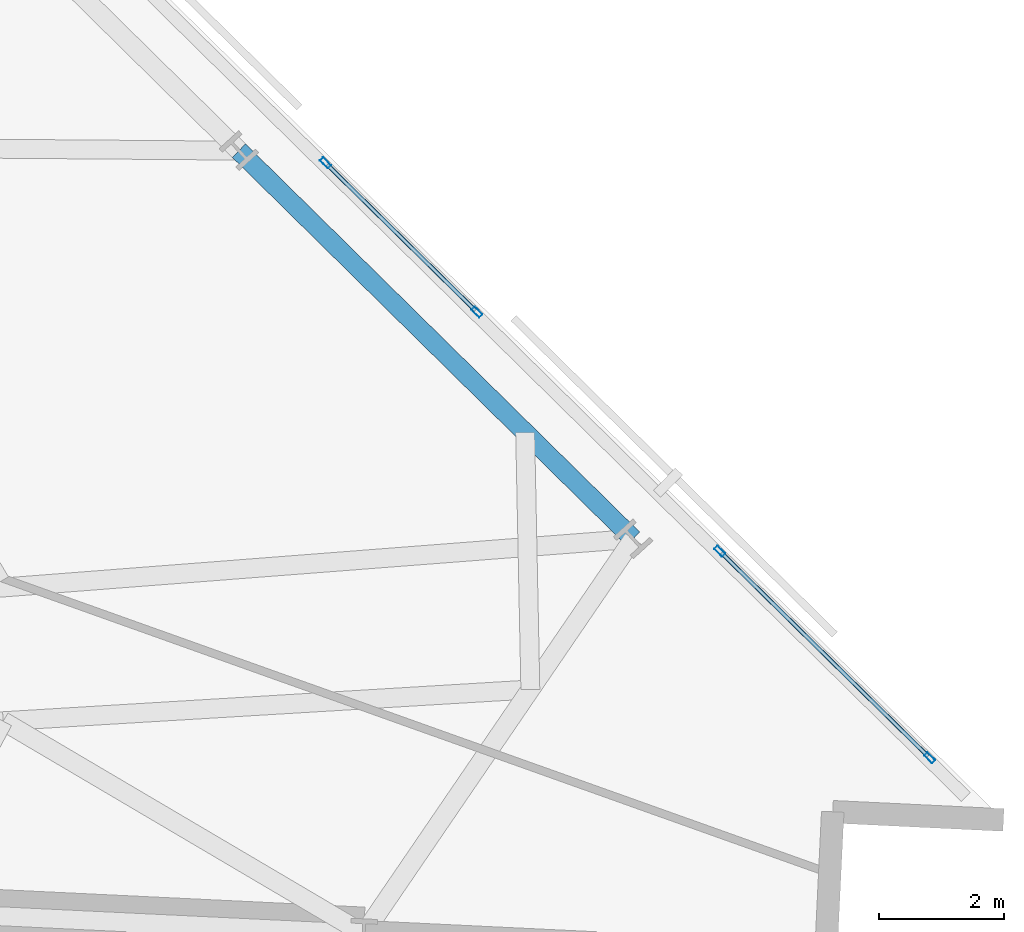
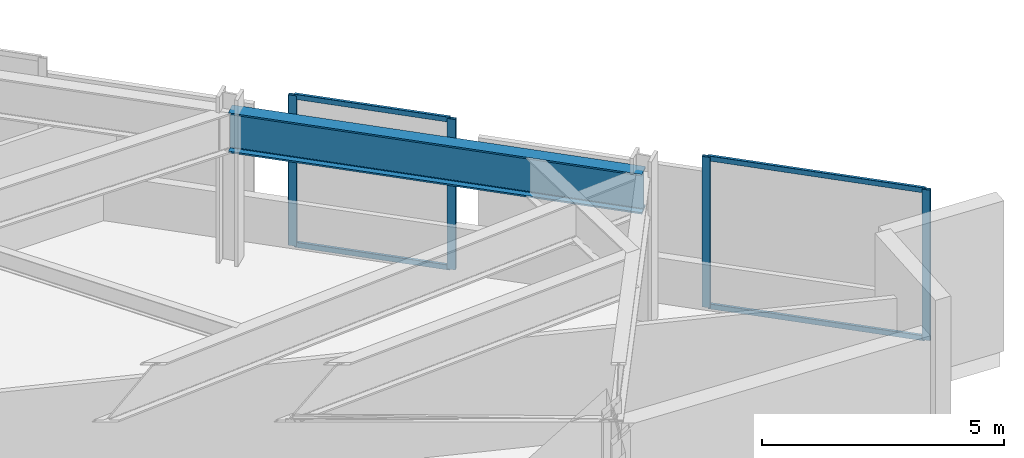
# One storey, part 4 of 18: 8 members, 1 beam, 2 elements without a shape of their own.
"""IFC4 building model written with IfcOpenShell, lengths in metres."""

import ifcopenshell
import ifcopenshell.guid

model = None  # the IFC model being written
_history = None  # IfcOwnerHistory: only IFC2X3 demands one
_inside = {}  # id of a spatial element -> (the spatial element, [elements in it])
_under = {}  # id of a project, library or spatial element -> (it, [spatial elements below it])
_declared = {}  # id of a project -> (the project, [libraries it declares])
_typed = {}  # id of a type object -> (the type object, [elements of that type])
_made_of = {}  # id of a material, layer set ... -> (it, [elements and type objects made of it])


def new_model(schema):
    """Start an empty IFC model of exactly this schema.

    Asked for "IFC4X3", IfcOpenShell would pick the latest addendum, in which some entities
    have other attributes; the version numbers below select the first issue.
    IFC2X3 requires an IfcOwnerHistory on every rooted entity: one is made here for all.
    """
    global model, _history
    if schema == "IFC4X3":
        model = ifcopenshell.file(schema_version=(4, 3, 0, 0))
    else:
        model = ifcopenshell.file(schema=schema)
    _inside.clear()
    _under.clear()
    _declared.clear()
    _typed.clear()
    _made_of.clear()
    _history = None
    if model.schema == "IFC2X3":
        org = make("IfcOrganization", Name="unknown")
        user = make(
            "IfcPersonAndOrganization",
            ThePerson=make("IfcPerson", FamilyName="unknown"),
            TheOrganization=org,
        )
        app = make(
            "IfcApplication",
            ApplicationDeveloper=org,
            Version="unknown",
            ApplicationFullName="unknown",
            ApplicationIdentifier="unknown",
        )
        _history = make(
            "IfcOwnerHistory",
            OwningUser=user,
            OwningApplication=app,
            ChangeAction="ADDED",
            CreationDate=0,
        )
    return model


def make(cls, **values):
    """One entity of the class cls with the attributes given. An attribute that is None is left unset."""
    return model.create_entity(
        cls, **{name: value for name, value in values.items() if value is not None}
    )


def rooted(cls, **values):
    """An entity with a GlobalId (a new one), such as an element, a storey or a relation."""
    return make(cls, GlobalId=ifcopenshell.guid.new(), OwnerHistory=_history, **values)


def si_unit(unit_type, name, prefix=None):
    """IfcSIUnit, for example si_unit("LENGTHUNIT", "METRE", prefix="MILLI")."""
    return make("IfcSIUnit", UnitType=unit_type, Prefix=prefix, Name=name)


def assignment(units):
    """IfcUnitAssignment: the units of a project."""
    return None if units is None else make("IfcUnitAssignment", Units=units)


def point(xyz):
    """IfcCartesianPoint."""
    return None if xyz is None else make("IfcCartesianPoint", Coordinates=xyz)


def direction(xyz):
    """IfcDirection."""
    return None if xyz is None else make("IfcDirection", DirectionRatios=xyz)


def frame(location, z_axis=None, x_axis=None):
    """IfcAxis2Placement3D, a coordinate frame: its origin and axes. An axis left out is left unset."""
    return make(
        "IfcAxis2Placement3D",
        Location=point(location),
        Axis=direction(z_axis),
        RefDirection=direction(x_axis),
    )


def frame_2d(location, x_axis=None):
    """IfcAxis2Placement2D, a coordinate frame in the plane: its origin and x axis."""
    return make(
        "IfcAxis2Placement2D", Location=point(location), RefDirection=direction(x_axis)
    )


def origin():
    """The frame at (0, 0, 0) with its axes left unset."""
    return frame((0.0, 0.0, 0.0))


def origin_2d():
    """The frame at (0, 0) in the plane with its x axis left unset."""
    return frame_2d((0.0, 0.0))


def place(relative_to, where):
    """IfcLocalPlacement: puts the frame where relative to a parent placement (None: the world)."""
    return make(
        "IfcLocalPlacement", PlacementRelTo=relative_to, RelativePlacement=where
    )


def context(
    kind, dimensions, precision=None, world=None, true_north=None, identifier=None
):
    """IfcGeometricRepresentationContext, for example the 3D "Model" context."""
    return make(
        "IfcGeometricRepresentationContext",
        ContextIdentifier=identifier,
        ContextType=kind,
        CoordinateSpaceDimension=dimensions,
        Precision=precision,
        WorldCoordinateSystem=world,
        TrueNorth=true_north,
    )


def subcontext(parent, identifier, kind, view, scale=None):
    """IfcGeometricRepresentationSubContext, for example "Body" below "Model"."""
    return make(
        "IfcGeometricRepresentationSubContext",
        ContextIdentifier=identifier,
        ContextType=kind,
        ParentContext=parent,
        TargetScale=scale,
        TargetView=view,
    )


def project(units=None, contexts=None):
    """IfcProject with its units and contexts."""
    return rooted(
        "IfcProject",
        Name="project",
        RepresentationContexts=contexts,
        UnitsInContext=assignment(units),
    )


def spatial(cls, under=None, at=None, **own):
    """A site, building, storey or space (cls), placed at a placement, below another one or the project."""
    s = rooted(cls, ObjectPlacement=at, **own)
    if under is not None:
        _under.setdefault(under.id(), (under, []))[1].append(s)
    return s


def profile(cls, at=None, kind="AREA", **sizes):
    """A parametric profile (cls). Its sizes go by their IFC names, for example OverallWidth=200.0."""
    return make(cls, ProfileType=kind, Position=at, **sizes)


def hollow_rectangle(**sizes):
    """IfcRectangleHollowProfileDef."""
    return profile("IfcRectangleHollowProfileDef", **sizes)


def i_section(**sizes):
    """IfcIShapeProfileDef."""
    return profile("IfcIShapeProfileDef", **sizes)


def extrude(swept, where, along, depth):
    """IfcExtrudedAreaSolid: the profile swept, set in the frame where, extruded along a direction by depth."""
    return make(
        "IfcExtrudedAreaSolid",
        SweptArea=swept,
        Position=where,
        ExtrudedDirection=direction(along),
        Depth=depth,
    )


def shape(context_of_items, identifier, shape_type, items):
    """IfcShapeRepresentation: the items that make up one representation, for example the "Body"."""
    return make(
        "IfcShapeRepresentation",
        ContextOfItems=context_of_items,
        RepresentationIdentifier=identifier,
        RepresentationType=shape_type,
        Items=items,
    )


def material(Name=None, Category=None):
    """IfcMaterial."""
    return make("IfcMaterial", Name=Name, Category=Category)


def material_profile(
    of_material, cross_section, Name=None, Category=None, Priority=None
):
    """IfcMaterialProfile: a cross section and its material."""
    return make(
        "IfcMaterialProfile",
        Name=Name,
        Material=of_material,
        Profile=cross_section,
        Priority=Priority,
        Category=Category,
    )


def profile_set(profiles, Name=None, composite=None):
    """IfcMaterialProfileSet."""
    return make(
        "IfcMaterialProfileSet",
        Name=Name,
        MaterialProfiles=profiles,
        CompositeProfile=composite,
    )


def made_of(thing, what):
    """Note that an element or type object is made of a material, layer set ...; save() writes the relation."""
    if what is not None:
        _made_of.setdefault(what.id(), (what, []))[1].append(thing)
    return thing


def type_object(cls, material=None, **own):
    """A type object (cls), such as IfcWallType, which elements share."""
    return made_of(rooted(cls, **own), material)


def element(
    cls,
    number,
    at=None,
    inside=None,
    cuts=None,
    type_object=None,
    material=None,
    context=None,
    identifier="Body",
    shape_type=None,
    held_by="IfcProductDefinitionShape",
    body=None,
    shapes=None,
    **own,
):
    """One element of the class cls, such as IfcWall. Its Tag is "e" and its number.

    at: its placement. inside: the storey or other place that contains it. cuts: it is an
    opening in that element (IfcRelVoidsElement). A single representation is given by context,
    identifier, shape_type and body (its items); several are given by shapes. held_by: the class
    of the entity that holds the representations. save() writes the other relations.
    """
    e = rooted(cls, Tag="e%d" % number, ObjectPlacement=at, **own)
    if body is not None:
        shapes = [shape(context, identifier, shape_type, body)]
    if shapes is not None:
        e.Representation = make(held_by, Representations=shapes)
    if inside is not None:
        _inside.setdefault(inside.id(), (inside, []))[1].append(e)
    if cuts is not None:
        rooted(
            "IfcRelVoidsElement", RelatingBuildingElement=cuts, RelatedOpeningElement=e
        )
    if type_object is not None:
        _typed.setdefault(type_object.id(), (type_object, []))[1].append(e)
    return made_of(e, material)


def aggregate(whole, parts):
    """IfcRelAggregates: a whole, such as a stair, and the parts it consists of."""
    return rooted("IfcRelAggregates", RelatingObject=whole, RelatedObjects=parts)


def save(model, path):
    """Write the relations noted so far, then the file.

    IfcRelAggregates (storeys below a building ...), IfcRelContainedInSpatialStructure (elements
    in a storey), IfcRelDefinesByType, IfcRelAssociatesMaterial and IfcRelDeclares: one each for
    every whole, place, type object, material and project.
    """
    for whole, parts in _under.values():
        aggregate(whole, parts)
    for where, things in _inside.values():
        rooted(
            "IfcRelContainedInSpatialStructure",
            RelatedElements=things,
            RelatingStructure=where,
        )
    for kind, things in _typed.values():
        rooted("IfcRelDefinesByType", RelatedObjects=things, RelatingType=kind)
    for what, things in _made_of.values():
        rooted("IfcRelAssociatesMaterial", RelatedObjects=things, RelatingMaterial=what)
    for by, libraries in _declared.values():
        rooted("IfcRelDeclares", RelatingContext=by, RelatedDefinitions=libraries)
    model.write(path)


model = new_model("IFC4")

# Units and contexts
model_context = context("Model", 3, precision=1e-05, world=origin(), true_north=direction((0.0, 1.0)))
body_context = subcontext(model_context, "Body", "Model", "MODEL_VIEW")
ifc_project = project(units=[si_unit("LENGTHUNIT", "METRE"), si_unit("AREAUNIT", "SQUARE_METRE"), si_unit("VOLUMEUNIT", "CUBIC_METRE"), si_unit("PLANEANGLEUNIT", "RADIAN"), si_unit("MASSUNIT", "GRAM", prefix="KILO")], contexts=[model_context])

# Site, building, storey
site_placement = place(None, origin())
site = spatial("IfcSite", under=ifc_project, at=site_placement, CompositionType="ELEMENT")
building_placement = place(site_placement, origin())
building = spatial("IfcBuilding", under=site, at=building_placement, Name="Narakoshi Arena Tower", CompositionType="ELEMENT")
storey_placement = place(building_placement, frame((0.0, 0.0, 59.10009765625)))
storey = spatial("IfcBuildingStorey", under=building, at=storey_placement, Name="L15", CompositionType="ELEMENT", Elevation=59.10009765625)

# Beam
ifc_material_1 = material(Name="Structural steel S460ML", Category="steel")
ifc_material_profile_1 = material_profile(ifc_material_1, i_section(OverallWidth=0.302001953125, OverallDepth=1.008056640625, WebThickness=0.02099609375, FlangeThickness=0.0400390625, FilletRadius=0.030029296875, at=origin_2d()), Name="HE1000M")
ifc_profile_set_1 = profile_set([ifc_material_profile_1], Name="Structural steel S460ML")
beam_type = type_object("IfcBeamType", Name="BM-XFER-1000", PredefinedType="BEAM", material=ifc_profile_set_1)
beam_placement = place(storey_placement, frame((114.942138671875, 36.969970703125, 3.2958984375), z_axis=(-0.712540689328, 0.70163079041, 0.0), x_axis=(-0.70163079041, -0.712540689328, 0.0)))
element("IfcBeam", 1, at=beam_placement, inside=storey, type_object=beam_type, Name="L15 Perimeter Transfer Ring Girder 05", PredefinedType="BEAM", context=body_context, shape_type="SweptSolid", body=[
    extrude(i_section(OverallWidth=0.302001953125, OverallDepth=1.008056640625, WebThickness=0.02099609375, FlangeThickness=0.0400390625, FilletRadius=0.030029296875, at=origin_2d()), origin(), (0.0, 0.0, 1.0), 8.83935546875),
])

# Curtain wall, members
ifc_material_2 = material(Name="Anodised bronze aluminium 6063-T6", Category="aluminium")
curtain_wall_type = type_object("IfcCurtainWallType", Name="CW-HYP-LOW", PredefinedType="NOTDEFINED", material=ifc_material_2)
curtain_wall_1_placement = place(storey_placement, origin())
curtain_wall_1 = element("IfcCurtainWall", 2, at=curtain_wall_1_placement, inside=storey, type_object=curtain_wall_type, Name="L15 Folded Hypotenuse Curtain Wall 1-1", PredefinedType="NOTDEFINED")
ifc_material_profile_2 = material_profile(ifc_material_2, hollow_rectangle(XDim=0.074951171875, YDim=0.179931640625, WallThickness=0.00390625, OuterFilletRadius=0.0048828125, at=origin_2d()), Name="MUL180x75x4")
ifc_profile_set_2 = profile_set([ifc_material_profile_2], Name="Anodised bronze aluminium 6063-T6")
member_type_1 = type_object("IfcMemberType", Name="MEM-MUL-180", PredefinedType="MULLION", material=ifc_profile_set_2)
member_1_placement = place(storey_placement, frame((119.677734375, 33.471923828125, 0.0), z_axis=(0.0, 0.0, 1.0), x_axis=(-0.701625822878, -0.712545580767, 0.0)))
member_1 = element("IfcMember", 3, at=member_1_placement, type_object=member_type_1, Name="CW-01 mullion 1", PredefinedType="MULLION", context=body_context, shape_type="SweptSolid", body=[
    extrude(hollow_rectangle(XDim=0.074951171875, YDim=0.179931640625, WallThickness=0.00390625, OuterFilletRadius=0.0048828125, at=origin_2d()), origin(), (0.0, 0.0, 1.0), 3.7998046875),
])
member_2_placement = place(storey_placement, frame((116.324951171875, 36.773193359375, 0.0), z_axis=(0.0, 0.0, 1.0), x_axis=(-0.701625822878, -0.712545580767, 0.0)))
member_2 = element("IfcMember", 4, at=member_2_placement, type_object=member_type_1, Name="CW-01 mullion 2", PredefinedType="MULLION", context=body_context, shape_type="SweptSolid", body=[
    extrude(hollow_rectangle(XDim=0.074951171875, YDim=0.179931640625, WallThickness=0.00390625, OuterFilletRadius=0.0048828125, at=origin_2d()), origin(), (0.0, 0.0, 1.0), 3.7998046875),
])

curtain_wall_2_placement = place(storey_placement, origin())
curtain_wall_2 = element("IfcCurtainWall", 5, at=curtain_wall_2_placement, inside=storey, type_object=curtain_wall_type, Name="L15 Folded Hypotenuse Curtain Wall 1-2", PredefinedType="NOTDEFINED")
member_3_placement = place(storey_placement, frame((112.4453125, 40.59326171875, 0.0), z_axis=(0.0, 0.0, 1.0), x_axis=(-0.701638697719, -0.712532903003, 0.0)))
member_3 = element("IfcMember", 6, at=member_3_placement, type_object=member_type_1, Name="CW-01 mullion 1", PredefinedType="MULLION", context=body_context, shape_type="SweptSolid", body=[
    extrude(hollow_rectangle(XDim=0.074951171875, YDim=0.179931640625, WallThickness=0.00390625, OuterFilletRadius=0.0048828125, at=origin_2d()), origin(), (0.0, 0.0, 1.0), 3.7998046875),
])
member_4_placement = place(storey_placement, frame((110.026611328125, 42.97509765625, 0.0), z_axis=(0.0, 0.0, 1.0), x_axis=(-0.701638697719, -0.712532903003, 0.0)))
member_4 = element("IfcMember", 7, at=member_4_placement, type_object=member_type_1, Name="CW-01 mullion 2", PredefinedType="MULLION", context=body_context, shape_type="SweptSolid", body=[
    extrude(hollow_rectangle(XDim=0.074951171875, YDim=0.179931640625, WallThickness=0.00390625, OuterFilletRadius=0.0048828125, at=origin_2d()), origin(), (0.0, 0.0, 1.0), 3.7998046875),
])

# Member
ifc_material_profile_3 = material_profile(ifc_material_2, hollow_rectangle(XDim=0.06494140625, YDim=0.1298828125, WallThickness=0.00390625, OuterFilletRadius=0.0048828125, at=origin_2d()), Name="TRN130x65x4")
ifc_profile_set_3 = profile_set([ifc_material_profile_3], Name="Anodised bronze aluminium 6063-T6")
member_type_2 = type_object("IfcMemberType", Name="MEM-TRN-130", PredefinedType="USERDEFINED", material=ifc_profile_set_3)
member_5_placement = place(storey_placement, frame((119.65087890625, 33.498046875, 0.032470703125), z_axis=(-0.712542892292, 0.701628553184, 0.0), x_axis=(-0.701628553184, -0.712542892292, 0.0)))
member_5 = element("IfcMember", 8, at=member_5_placement, type_object=member_type_2, Name="CW-01 transom 1.1", ObjectType="TRANSOM", PredefinedType="USERDEFINED", context=body_context, shape_type="SweptSolid", body=[
    extrude(hollow_rectangle(XDim=0.06494140625, YDim=0.1298828125, WallThickness=0.00390625, OuterFilletRadius=0.0048828125, at=origin_2d()), origin(), (0.0, 0.0, 1.0), 4.63037109375),
])

member_6_placement = place(storey_placement, frame((119.65087890625, 33.498046875, 3.767333984375), z_axis=(-0.712542892292, 0.701628553184, 0.0), x_axis=(-0.701628553184, -0.712542892292, 0.0)))
member_6 = element("IfcMember", 9, at=member_6_placement, type_object=member_type_2, Name="CW-01 transom 1.2", ObjectType="TRANSOM", PredefinedType="USERDEFINED", context=body_context, shape_type="SweptSolid", body=[
    extrude(hollow_rectangle(XDim=0.06494140625, YDim=0.1298828125, WallThickness=0.00390625, OuterFilletRadius=0.0048828125, at=origin_2d()), origin(), (0.0, 0.0, 1.0), 4.63037109375),
])

aggregate(curtain_wall_1, [member_1, member_2, member_5, member_6])

member_7_placement = place(storey_placement, frame((112.418701171875, 40.61962890625, 0.032470703125), z_axis=(-0.712527790337, 0.701643889731, 0.0), x_axis=(-0.701643889731, -0.712527790337, 0.0)))
member_7 = element("IfcMember", 10, at=member_7_placement, type_object=member_type_2, Name="CW-01 transom 1.1", ObjectType="TRANSOM", PredefinedType="USERDEFINED", context=body_context, shape_type="SweptSolid", body=[
    extrude(hollow_rectangle(XDim=0.06494140625, YDim=0.1298828125, WallThickness=0.00390625, OuterFilletRadius=0.0048828125, at=origin_2d()), origin(), (0.0, 0.0, 1.0), 3.31982421875),
])

member_8_placement = place(storey_placement, frame((112.418701171875, 40.61962890625, 3.767333984375), z_axis=(-0.712527790337, 0.701643889731, 0.0), x_axis=(-0.701643889731, -0.712527790337, 0.0)))
member_8 = element("IfcMember", 11, at=member_8_placement, type_object=member_type_2, Name="CW-01 transom 1.2", ObjectType="TRANSOM", PredefinedType="USERDEFINED", context=body_context, shape_type="SweptSolid", body=[
    extrude(hollow_rectangle(XDim=0.06494140625, YDim=0.1298828125, WallThickness=0.00390625, OuterFilletRadius=0.0048828125, at=origin_2d()), origin(), (0.0, 0.0, 1.0), 3.31982421875),
])

aggregate(curtain_wall_2, [member_3, member_4, member_7, member_8])

save(model, "model.ifc")
